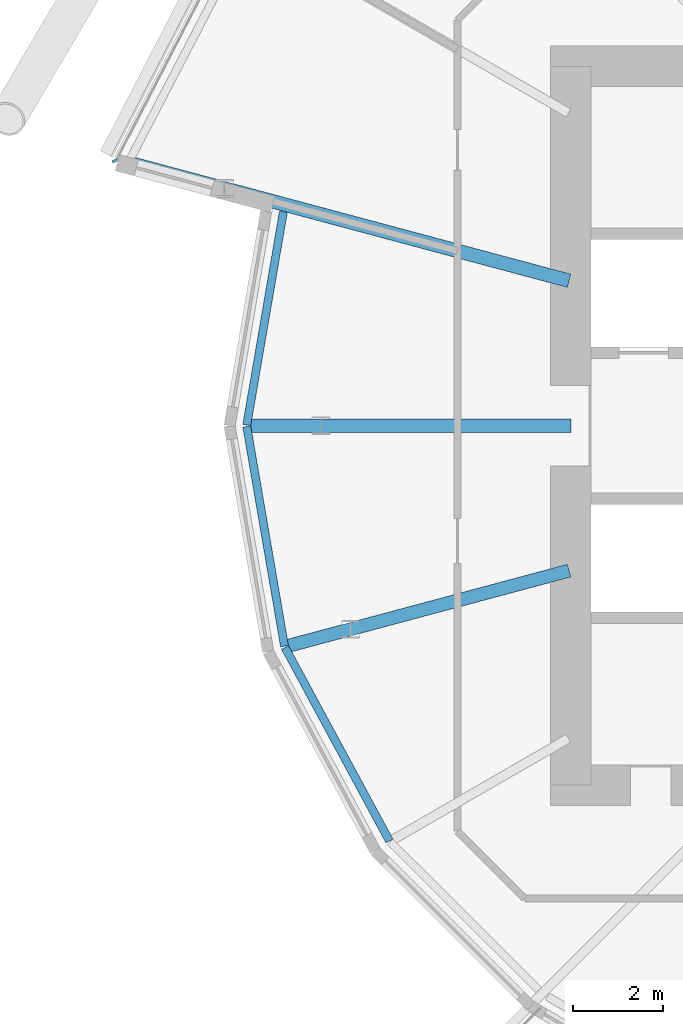
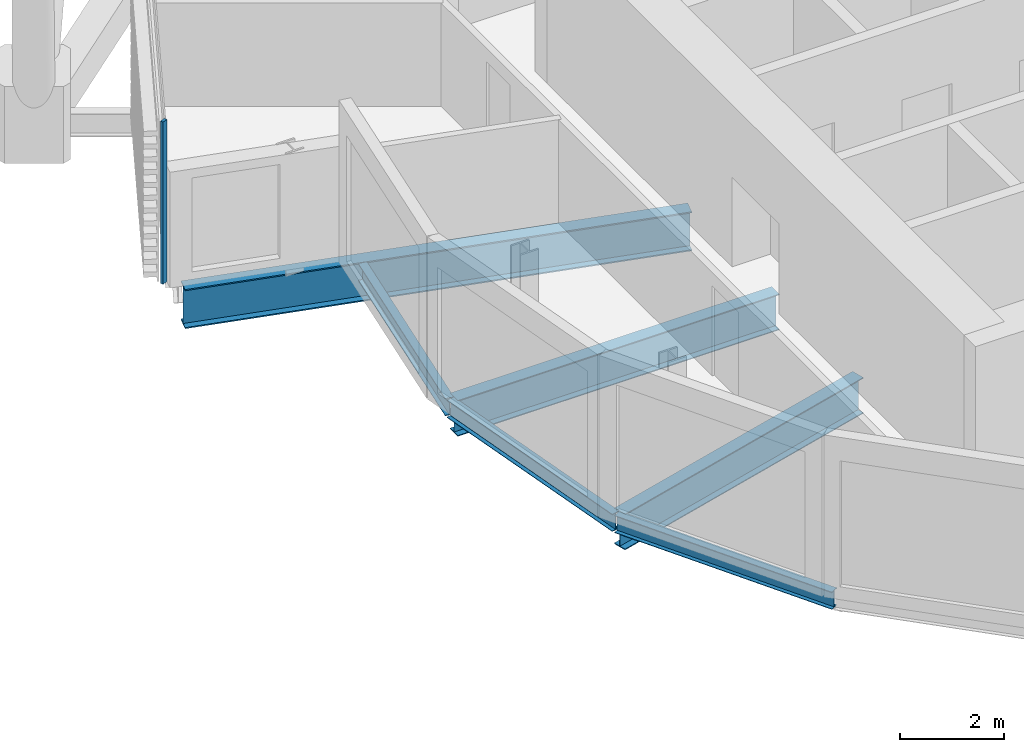
# One storey, part 5 of 40: 6 beams, 1 member, 1 element without a shape of its own.
"""IFC4 building model written with IfcOpenShell, lengths in metres."""

from ifc_helpers import new_model, si_unit, direction, frame, origin, origin_2d, place, context, subcontext, project, spatial, rectangle, i_section, extrude, material, material_profile, profile_set, type_object, element, aggregate, save


model = new_model("IFC4")

# Units and contexts
model_context = context("Model", 3, precision=1e-05, world=origin(), true_north=direction((0.0, 1.0)))
body_context = subcontext(model_context, "Body", "Model", "MODEL_VIEW")
ifc_project = project(units=[si_unit("LENGTHUNIT", "METRE"), si_unit("AREAUNIT", "SQUARE_METRE"), si_unit("VOLUMEUNIT", "CUBIC_METRE"), si_unit("PLANEANGLEUNIT", "RADIAN"), si_unit("MASSUNIT", "GRAM", prefix="KILO")], contexts=[model_context])

# Site, building, storey
site_placement = place(None, origin())
site = spatial("IfcSite", under=ifc_project, at=site_placement, CompositionType="ELEMENT")
building_placement = place(site_placement, origin())
building = spatial("IfcBuilding", under=site, at=building_placement, Name="Rimbun Link Towers", CompositionType="ELEMENT")
storey_placement = place(building_placement, frame((0.0, 0.0, 52.800048828125)))
storey = spatial("IfcBuildingStorey", under=building, at=storey_placement, Name="L12", CompositionType="ELEMENT", Elevation=52.800048828125)

# Curtain wall, member
ifc_material_1 = material(Name="Aluminium 6063-T6 and low-iron glass", Category="aluminium")
curtain_wall_type = type_object("IfcCurtainWallType", Name="CW1 unitised vision wall", PredefinedType="NOTDEFINED", material=ifc_material_1)
curtain_wall_placement = place(storey_placement, origin())
curtain_wall = element("IfcCurtainWall", 1, at=curtain_wall_placement, inside=storey, type_object=curtain_wall_type, Name="CW1 L12 T1", PredefinedType="NOTDEFINED")
ifc_material_2 = material(Name="Aluminium 6063-T6", Category="aluminium")
ifc_material_profile_1 = material_profile(ifc_material_2, rectangle(XDim=0.1201171875, YDim=0.06005859375, at=origin_2d()), Name="MULLION 60X120")
ifc_profile_set_1 = profile_set([ifc_material_profile_1], Name="Aluminium 6063-T6")
member_type = type_object("IfcMemberType", Name="CW1 mullion 60X120", PredefinedType="MULLION", material=ifc_profile_set_1)
member_placement = place(storey_placement, frame((-53.902099609375, 5.896728515625, 0.0), z_axis=(0.0, 0.0, 1.0), x_axis=(-0.914813149128, -0.403877335565, 0.0)))
member = element("IfcMember", 2, at=member_placement, type_object=member_type, Name="CW1 mullion", PredefinedType="MULLION", context=body_context, shape_type="SweptSolid", body=[
    extrude(rectangle(XDim=0.1201171875, YDim=0.06005859375, at=origin_2d()), origin(), (0.0, 0.0, 1.0), 3.800048828125),
])
aggregate(curtain_wall, [member])

# Beams
ifc_material_3 = material(Name="Steel S355J2", Category="steel")
ifc_material_profile_2 = material_profile(ifc_material_3, i_section(OverallWidth=0.177978515625, OverallDepth=0.406494140625, WebThickness=0.0078125, FlangeThickness=0.0126953125, at=origin_2d()), Name="UB 406x178x60")
ifc_profile_set_2 = profile_set([ifc_material_profile_2], Name="Steel S355J2")
beam_type_1 = type_object("IfcBeamType", Name="UB 406x178x60", PredefinedType="BEAM", material=ifc_profile_set_2)
beam_1_placement = place(storey_placement, frame((-50.1494140625, 4.762451171875, -0.36328125), z_axis=(-0.169271959338, -0.985569380501, 0.0), x_axis=(0.985569380501, -0.169271959338, 0.0)))
element("IfcBeam", 3, at=beam_1_placement, inside=storey, type_object=beam_type_1, Name="Edge beam T1 L12 11 recess", PredefinedType="BEAM", context=body_context, shape_type="SweptSolid", body=[
    extrude(i_section(OverallWidth=0.177978515625, OverallDepth=0.406494140625, WebThickness=0.0078125, FlangeThickness=0.0126953125, at=origin_2d()), origin(), (0.0, 0.0, 1.0), 4.81591796875),
])
beam_2_placement = place(storey_placement, frame((-50.964599609375, -0.01611328125, -0.36328125), z_axis=(0.169271015527, -0.985569542601, 0.0), x_axis=(0.985569542601, 0.169271015527, 0.0)))
element("IfcBeam", 4, at=beam_2_placement, inside=storey, type_object=beam_type_1, Name="Edge beam T1 L12 12 recess", PredefinedType="BEAM", context=body_context, shape_type="SweptSolid", body=[
    extrude(i_section(OverallWidth=0.177978515625, OverallDepth=0.406494140625, WebThickness=0.0078125, FlangeThickness=0.0126953125, at=origin_2d()), origin(), (0.0, 0.0, 1.0), 4.962890625),
])
beam_3_placement = place(storey_placement, frame((-50.114501953125, -4.936279296875, -0.36328125), z_axis=(0.475199884623, -0.879877872011, 0.0), x_axis=(0.879877872011, 0.475199884623, 0.0)))
element("IfcBeam", 5, at=beam_3_placement, inside=storey, type_object=beam_type_1, Name="Edge beam T1 L12 13 recess", PredefinedType="BEAM", context=body_context, shape_type="SweptSolid", body=[
    extrude(i_section(OverallWidth=0.177978515625, OverallDepth=0.406494140625, WebThickness=0.0078125, FlangeThickness=0.0126953125, at=origin_2d()), origin(), (0.0, 0.0, 1.0), 4.895263671875),
])
ifc_material_4 = material(Name="Steel S355J2", Category="steel")
ifc_material_profile_3 = material_profile(ifc_material_4, i_section(OverallWidth=0.29248046875, OverallDepth=0.8408203125, WebThickness=0.0126953125, FlangeThickness=0.021728515625, at=origin_2d()), Name="UB 838x292x194")
ifc_profile_set_3 = profile_set([ifc_material_profile_3], Name="Steel S355J2")
beam_type_2 = type_object("IfcBeamType", Name="UB 838x292x194", PredefinedType="BEAM", material=ifc_profile_set_3)
beam_4_placement = place(storey_placement, frame((-43.7509765625, 0.0, -0.580322265625), z_axis=(-1.0, 0.0, 0.0), x_axis=(0.0, -1.0, 0.0)))
element("IfcBeam", 6, at=beam_4_placement, inside=storey, type_object=beam_type_2, Name="Radial beam T1 L12 12", PredefinedType="BEAM", context=body_context, shape_type="SweptSolid", body=[
    extrude(i_section(OverallWidth=0.29248046875, OverallDepth=0.8408203125, WebThickness=0.0126953125, FlangeThickness=0.021728515625, at=origin_2d()), origin(), (0.0, 0.0, 1.0), 7.12646484375),
])
beam_5_placement = place(storey_placement, frame((-43.788818359375, -3.225830078125, -0.580322265625), z_axis=(-0.965927828597, -0.258811572273, 0.0), x_axis=(0.258811572273, -0.965927828597, 0.0)))
element("IfcBeam", 7, at=beam_5_placement, inside=storey, type_object=beam_type_2, Name="Radial beam T1 L12 13", PredefinedType="BEAM", context=body_context, shape_type="SweptSolid", body=[
    extrude(i_section(OverallWidth=0.29248046875, OverallDepth=0.8408203125, WebThickness=0.0126953125, FlangeThickness=0.021728515625, at=origin_2d()), origin(), (0.0, 0.0, 1.0), 6.46630859375),
])
ifc_material_5 = material(Name="Steel S355J2", Category="steel")
ifc_material_profile_4 = material_profile(ifc_material_5, i_section(OverallWidth=0.305419921875, OverallDepth=0.91845703125, WebThickness=0.017333984375, FlangeThickness=0.02783203125, at=origin_2d()), Name="UB 914x305x253")
ifc_profile_set_4 = profile_set([ifc_material_profile_4], Name="Steel S355J2")
beam_type_3 = type_object("IfcBeamType", Name="UB 914x305x253", PredefinedType="BEAM", material=ifc_profile_set_4)
beam_6_placement = place(storey_placement, frame((-43.79052734375, 3.226318359375, -0.619140625), z_axis=(-0.965929859648, 0.258803991931, 0.0), x_axis=(-0.258803991931, -0.965929859648, 0.0)))
element("IfcBeam", 8, at=beam_6_placement, inside=storey, type_object=beam_type_3, Name="Radial beam T1 L12 11", PredefinedType="BEAM", context=body_context, shape_type="SweptSolid", body=[
    extrude(i_section(OverallWidth=0.305419921875, OverallDepth=0.91845703125, WebThickness=0.017333984375, FlangeThickness=0.02783203125, at=origin_2d()), origin(), (0.0, 0.0, 1.0), 10.0634765625),
])

save(model, "model.ifc")
